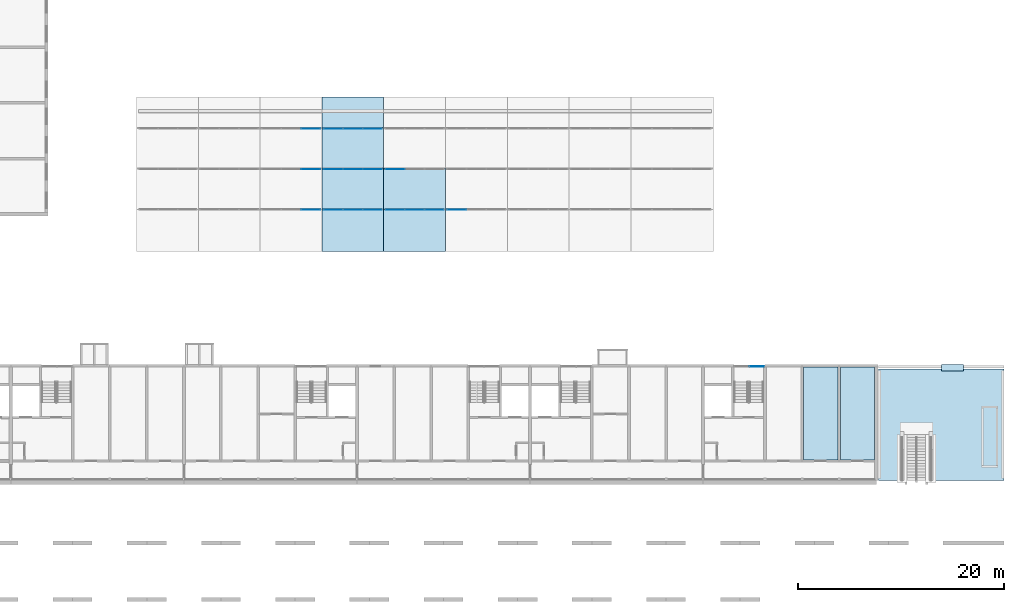
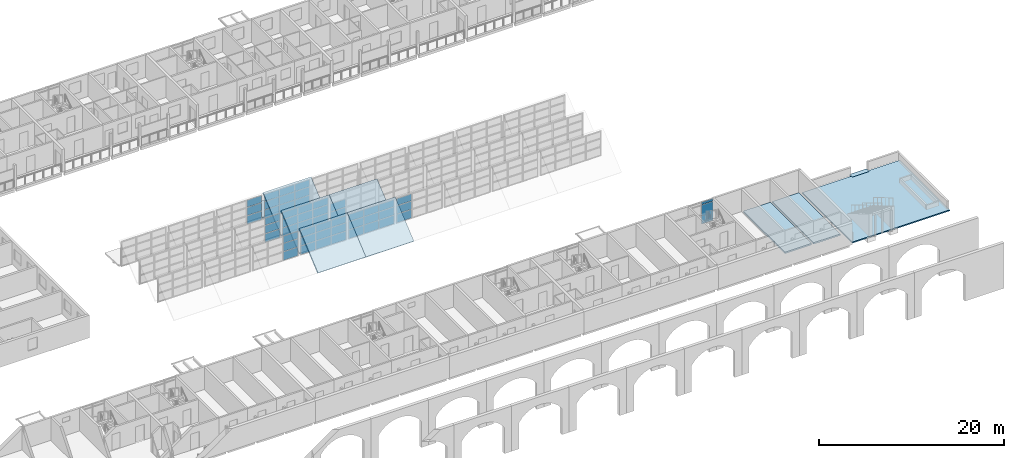
# One storey, part 48 of 122: 52 plates, 10 slabs, 10 elements without a shape of their own.
"""IFC4 building model written with IfcOpenShell, lengths in metres."""

from ifc_helpers import new_model, si_unit, direction, frame, origin, origin_2d, place, context, subcontext, project, spatial, polyline, rectangle, outline, extrude, material, layer, layer_set, type_object, element, aggregate, save


model = new_model("IFC4")

# Units and contexts
model_context = context("Model", 3, precision=1e-05, world=origin(), true_north=direction((0.0, 1.0)))
body_context = subcontext(model_context, "Body", "Model", "MODEL_VIEW")
ifc_project = project(units=[si_unit("LENGTHUNIT", "METRE"), si_unit("AREAUNIT", "SQUARE_METRE"), si_unit("VOLUMEUNIT", "CUBIC_METRE"), si_unit("PLANEANGLEUNIT", "RADIAN"), si_unit("MASSUNIT", "GRAM", prefix="KILO")], contexts=[model_context])

# Site, building, storey
site_placement = place(None, origin())
site = spatial("IfcSite", under=ifc_project, at=site_placement, CompositionType="ELEMENT")
building_placement = place(site_placement, origin())
building = spatial("IfcBuilding", under=site, at=building_placement, Name="Ridgestep Commons", CompositionType="ELEMENT")
storey_placement = place(building_placement, frame((0.0, 0.0, 3.0)))
storey = spatial("IfcBuildingStorey", under=building, at=storey_placement, Name="L01", CompositionType="ELEMENT", Elevation=3.0)

# Curtain wall, plates
ifc_material_1 = material(Name="Aluminium and glass", Category="aluminium")
ifc_layer_1 = layer(ifc_material_1, 0.14990234375)
ifc_layer_set_1 = layer_set([ifc_layer_1], Name="Shop clerestory curtain wall")
curtain_wall_type_1 = type_object("IfcCurtainWallType", Name="Shop clerestory curtain wall", PredefinedType="NOTDEFINED", material=ifc_layer_set_1)
curtain_wall_1_placement = place(storey_placement, origin())
curtain_wall_1 = element("IfcCurtainWall", 1, at=curtain_wall_1_placement, inside=storey, type_object=curtain_wall_type_1, Name="Shop clerestory curtain wall", PredefinedType="NOTDEFINED")
ifc_material_2 = material(Name="Glass", Category="glass")
ifc_layer_2 = layer(ifc_material_2, 0.011962890625)
ifc_layer_set_2 = layer_set([ifc_layer_2], Name="Community glass panel 12")
plate_type_1 = type_object("IfcPlateType", Name="Community glass panel 12", PredefinedType="CURTAIN_PANEL", material=ifc_layer_set_2)
plate_1_placement = place(storey_placement, frame((192.7041015625, 38.050048828125, 1.25), z_axis=(0.0, 0.0, 1.0), x_axis=(1.0, 0.0, 0.0)))
plate_1 = element("IfcPlate", 2, at=plate_1_placement, type_object=plate_type_1, Name="CW5 panel 3.1", PredefinedType="CURTAIN_PANEL", context=body_context, shape_type="SweptSolid", body=[
    extrude(rectangle(XDim=1.841552734375, YDim=0.011962890625, at=origin_2d()), origin(), (0.0, 0.0, 1.0), 1.125),
])
plate_2_placement = place(storey_placement, frame((192.7041015625, 38.050048828125, 2.4248046875), z_axis=(0.0, 0.0, 1.0), x_axis=(1.0, 0.0, 0.0)))
plate_2 = element("IfcPlate", 3, at=plate_2_placement, type_object=plate_type_1, Name="CW5 panel 3.2", PredefinedType="CURTAIN_PANEL", context=body_context, shape_type="SweptSolid", body=[
    extrude(rectangle(XDim=1.841552734375, YDim=0.011962890625, at=origin_2d()), origin(), (0.0, 0.0, 1.0), 1.050048828125),
])
plate_3_placement = place(storey_placement, frame((192.7041015625, 38.050048828125, 3.52490234375), z_axis=(0.0, 0.0, 1.0), x_axis=(1.0, 0.0, 0.0)))
plate_3 = element("IfcPlate", 4, at=plate_3_placement, type_object=plate_type_1, Name="CW5 panel 3.3", PredefinedType="CURTAIN_PANEL", context=body_context, shape_type="SweptSolid", body=[
    extrude(rectangle(XDim=1.841552734375, YDim=0.011962890625, at=origin_2d()), origin(), (0.0, 0.0, 1.0), 0.925048828125),
])
aggregate(curtain_wall_1, [plate_1, plate_2, plate_3])

curtain_wall_2_placement = place(storey_placement, origin())
curtain_wall_2 = element("IfcCurtainWall", 5, at=curtain_wall_2_placement, inside=storey, type_object=curtain_wall_type_1, Name="Shop clerestory curtain wall", PredefinedType="NOTDEFINED")
plate_4_placement = place(storey_placement, frame((192.7041015625, 41.97509765625, 1.25), z_axis=(0.0, 0.0, 1.0), x_axis=(1.0, 0.0, 0.0)))
plate_4 = element("IfcPlate", 6, at=plate_4_placement, type_object=plate_type_1, Name="CW5 panel 3.1", PredefinedType="CURTAIN_PANEL", context=body_context, shape_type="SweptSolid", body=[
    extrude(rectangle(XDim=1.841552734375, YDim=0.011962890625, at=origin_2d()), origin(), (0.0, 0.0, 1.0), 1.125),
])
plate_5_placement = place(storey_placement, frame((192.7041015625, 41.97509765625, 2.4248046875), z_axis=(0.0, 0.0, 1.0), x_axis=(1.0, 0.0, 0.0)))
plate_5 = element("IfcPlate", 7, at=plate_5_placement, type_object=plate_type_1, Name="CW5 panel 3.2", PredefinedType="CURTAIN_PANEL", context=body_context, shape_type="SweptSolid", body=[
    extrude(rectangle(XDim=1.841552734375, YDim=0.011962890625, at=origin_2d()), origin(), (0.0, 0.0, 1.0), 1.050048828125),
])
plate_6_placement = place(storey_placement, frame((192.7041015625, 41.97509765625, 3.52490234375), z_axis=(0.0, 0.0, 1.0), x_axis=(1.0, 0.0, 0.0)))
plate_6 = element("IfcPlate", 8, at=plate_6_placement, type_object=plate_type_1, Name="CW5 panel 3.3", PredefinedType="CURTAIN_PANEL", context=body_context, shape_type="SweptSolid", body=[
    extrude(rectangle(XDim=1.841552734375, YDim=0.011962890625, at=origin_2d()), origin(), (0.0, 0.0, 1.0), 0.925048828125),
])
aggregate(curtain_wall_2, [plate_4, plate_5, plate_6])

curtain_wall_3_placement = place(storey_placement, origin())
curtain_wall_3 = element("IfcCurtainWall", 9, at=curtain_wall_3_placement, inside=storey, type_object=curtain_wall_type_1, Name="Shop clerestory curtain wall", PredefinedType="NOTDEFINED")
plate_7_placement = place(storey_placement, frame((192.7041015625, 45.89990234375, 1.25), z_axis=(0.0, 0.0, 1.0), x_axis=(1.0, 0.0, 0.0)))
plate_7 = element("IfcPlate", 10, at=plate_7_placement, type_object=plate_type_1, Name="CW5 panel 3.1", PredefinedType="CURTAIN_PANEL", context=body_context, shape_type="SweptSolid", body=[
    extrude(rectangle(XDim=1.841552734375, YDim=0.011962890625, at=origin_2d()), origin(), (0.0, 0.0, 1.0), 1.125),
])
plate_8_placement = place(storey_placement, frame((192.7041015625, 45.89990234375, 2.4248046875), z_axis=(0.0, 0.0, 1.0), x_axis=(1.0, 0.0, 0.0)))
plate_8 = element("IfcPlate", 11, at=plate_8_placement, type_object=plate_type_1, Name="CW5 panel 3.2", PredefinedType="CURTAIN_PANEL", context=body_context, shape_type="SweptSolid", body=[
    extrude(rectangle(XDim=1.841552734375, YDim=0.011962890625, at=origin_2d()), origin(), (0.0, 0.0, 1.0), 1.050048828125),
])
plate_9_placement = place(storey_placement, frame((192.7041015625, 45.89990234375, 3.52490234375), z_axis=(0.0, 0.0, 1.0), x_axis=(1.0, 0.0, 0.0)))
plate_9 = element("IfcPlate", 12, at=plate_9_placement, type_object=plate_type_1, Name="CW5 panel 3.3", PredefinedType="CURTAIN_PANEL", context=body_context, shape_type="SweptSolid", body=[
    extrude(rectangle(XDim=1.841552734375, YDim=0.011962890625, at=origin_2d()), origin(), (0.0, 0.0, 1.0), 0.925048828125),
])
aggregate(curtain_wall_3, [plate_7, plate_8, plate_9])

curtain_wall_4_placement = place(storey_placement, origin())
curtain_wall_4 = element("IfcCurtainWall", 13, at=curtain_wall_4_placement, inside=storey, type_object=curtain_wall_type_1, Name="Shop clerestory curtain wall", PredefinedType="NOTDEFINED")
plate_10_placement = place(storey_placement, frame((194.895751953125, 38.050048828125, 1.25), z_axis=(0.0, 0.0, 1.0), x_axis=(1.0, 0.0, 0.0)))
plate_10 = element("IfcPlate", 14, at=plate_10_placement, type_object=plate_type_1, Name="CW5 panel 1.1", PredefinedType="CURTAIN_PANEL", context=body_context, shape_type="SweptSolid", body=[
    extrude(rectangle(XDim=1.841552734375, YDim=0.011962890625, at=origin_2d()), origin(), (0.0, 0.0, 1.0), 1.125),
])
plate_11_placement = place(storey_placement, frame((194.895751953125, 38.050048828125, 2.4248046875), z_axis=(0.0, 0.0, 1.0), x_axis=(1.0, 0.0, 0.0)))
plate_11 = element("IfcPlate", 15, at=plate_11_placement, type_object=plate_type_1, Name="CW5 panel 1.2", PredefinedType="CURTAIN_PANEL", context=body_context, shape_type="SweptSolid", body=[
    extrude(rectangle(XDim=1.841552734375, YDim=0.011962890625, at=origin_2d()), origin(), (0.0, 0.0, 1.0), 1.050048828125),
])
plate_12_placement = place(storey_placement, frame((194.895751953125, 38.050048828125, 3.52490234375), z_axis=(0.0, 0.0, 1.0), x_axis=(1.0, 0.0, 0.0)))
plate_12 = element("IfcPlate", 16, at=plate_12_placement, type_object=plate_type_1, Name="CW5 panel 1.3", PredefinedType="CURTAIN_PANEL", context=body_context, shape_type="SweptSolid", body=[
    extrude(rectangle(XDim=1.841552734375, YDim=0.011962890625, at=origin_2d()), origin(), (0.0, 0.0, 1.0), 0.925048828125),
])
plate_13_placement = place(storey_placement, frame((196.800048828125, 38.050048828125, 1.25), z_axis=(0.0, 0.0, 1.0), x_axis=(1.0, 0.0, 0.0)))
plate_13 = element("IfcPlate", 17, at=plate_13_placement, type_object=plate_type_1, Name="CW5 panel 2.1", PredefinedType="CURTAIN_PANEL", context=body_context, shape_type="SweptSolid", body=[
    extrude(rectangle(XDim=1.86669921875, YDim=0.011962890625, at=origin_2d()), origin(), (0.0, 0.0, 1.0), 1.125),
])
plate_14_placement = place(storey_placement, frame((196.800048828125, 38.050048828125, 2.4248046875), z_axis=(0.0, 0.0, 1.0), x_axis=(1.0, 0.0, 0.0)))
plate_14 = element("IfcPlate", 18, at=plate_14_placement, type_object=plate_type_1, Name="CW5 panel 2.2", PredefinedType="CURTAIN_PANEL", context=body_context, shape_type="SweptSolid", body=[
    extrude(rectangle(XDim=1.86669921875, YDim=0.011962890625, at=origin_2d()), origin(), (0.0, 0.0, 1.0), 1.050048828125),
])
plate_15_placement = place(storey_placement, frame((196.800048828125, 38.050048828125, 3.52490234375), z_axis=(0.0, 0.0, 1.0), x_axis=(1.0, 0.0, 0.0)))
plate_15 = element("IfcPlate", 19, at=plate_15_placement, type_object=plate_type_1, Name="CW5 panel 2.3", PredefinedType="CURTAIN_PANEL", context=body_context, shape_type="SweptSolid", body=[
    extrude(rectangle(XDim=1.86669921875, YDim=0.011962890625, at=origin_2d()), origin(), (0.0, 0.0, 1.0), 0.925048828125),
])
plate_16_placement = place(storey_placement, frame((198.7041015625, 38.050048828125, 1.25), z_axis=(0.0, 0.0, 1.0), x_axis=(1.0, 0.0, 0.0)))
plate_16 = element("IfcPlate", 20, at=plate_16_placement, type_object=plate_type_1, Name="CW5 panel 3.1", PredefinedType="CURTAIN_PANEL", context=body_context, shape_type="SweptSolid", body=[
    extrude(rectangle(XDim=1.841552734375, YDim=0.011962890625, at=origin_2d()), origin(), (0.0, 0.0, 1.0), 1.125),
])
plate_17_placement = place(storey_placement, frame((198.7041015625, 38.050048828125, 2.4248046875), z_axis=(0.0, 0.0, 1.0), x_axis=(1.0, 0.0, 0.0)))
plate_17 = element("IfcPlate", 21, at=plate_17_placement, type_object=plate_type_1, Name="CW5 panel 3.2", PredefinedType="CURTAIN_PANEL", context=body_context, shape_type="SweptSolid", body=[
    extrude(rectangle(XDim=1.841552734375, YDim=0.011962890625, at=origin_2d()), origin(), (0.0, 0.0, 1.0), 1.050048828125),
])
plate_18_placement = place(storey_placement, frame((198.7041015625, 38.050048828125, 3.52490234375), z_axis=(0.0, 0.0, 1.0), x_axis=(1.0, 0.0, 0.0)))
plate_18 = element("IfcPlate", 22, at=plate_18_placement, type_object=plate_type_1, Name="CW5 panel 3.3", PredefinedType="CURTAIN_PANEL", context=body_context, shape_type="SweptSolid", body=[
    extrude(rectangle(XDim=1.841552734375, YDim=0.011962890625, at=origin_2d()), origin(), (0.0, 0.0, 1.0), 0.925048828125),
])
aggregate(curtain_wall_4, [plate_10, plate_11, plate_12, plate_13, plate_14, plate_15, plate_16, plate_17, plate_18])

curtain_wall_5_placement = place(storey_placement, origin())
curtain_wall_5 = element("IfcCurtainWall", 23, at=curtain_wall_5_placement, inside=storey, type_object=curtain_wall_type_1, Name="Shop clerestory curtain wall", PredefinedType="NOTDEFINED")
plate_19_placement = place(storey_placement, frame((194.895751953125, 41.97509765625, 1.25), z_axis=(0.0, 0.0, 1.0), x_axis=(1.0, 0.0, 0.0)))
plate_19 = element("IfcPlate", 24, at=plate_19_placement, type_object=plate_type_1, Name="CW5 panel 1.1", PredefinedType="CURTAIN_PANEL", context=body_context, shape_type="SweptSolid", body=[
    extrude(rectangle(XDim=1.841552734375, YDim=0.011962890625, at=origin_2d()), origin(), (0.0, 0.0, 1.0), 1.125),
])
plate_20_placement = place(storey_placement, frame((194.895751953125, 41.97509765625, 2.4248046875), z_axis=(0.0, 0.0, 1.0), x_axis=(1.0, 0.0, 0.0)))
plate_20 = element("IfcPlate", 25, at=plate_20_placement, type_object=plate_type_1, Name="CW5 panel 1.2", PredefinedType="CURTAIN_PANEL", context=body_context, shape_type="SweptSolid", body=[
    extrude(rectangle(XDim=1.841552734375, YDim=0.011962890625, at=origin_2d()), origin(), (0.0, 0.0, 1.0), 1.050048828125),
])
plate_21_placement = place(storey_placement, frame((194.895751953125, 41.97509765625, 3.52490234375), z_axis=(0.0, 0.0, 1.0), x_axis=(1.0, 0.0, 0.0)))
plate_21 = element("IfcPlate", 26, at=plate_21_placement, type_object=plate_type_1, Name="CW5 panel 1.3", PredefinedType="CURTAIN_PANEL", context=body_context, shape_type="SweptSolid", body=[
    extrude(rectangle(XDim=1.841552734375, YDim=0.011962890625, at=origin_2d()), origin(), (0.0, 0.0, 1.0), 0.925048828125),
])
plate_22_placement = place(storey_placement, frame((196.800048828125, 41.97509765625, 1.25), z_axis=(0.0, 0.0, 1.0), x_axis=(1.0, 0.0, 0.0)))
plate_22 = element("IfcPlate", 27, at=plate_22_placement, type_object=plate_type_1, Name="CW5 panel 2.1", PredefinedType="CURTAIN_PANEL", context=body_context, shape_type="SweptSolid", body=[
    extrude(rectangle(XDim=1.86669921875, YDim=0.011962890625, at=origin_2d()), origin(), (0.0, 0.0, 1.0), 1.125),
])
plate_23_placement = place(storey_placement, frame((196.800048828125, 41.97509765625, 2.4248046875), z_axis=(0.0, 0.0, 1.0), x_axis=(1.0, 0.0, 0.0)))
plate_23 = element("IfcPlate", 28, at=plate_23_placement, type_object=plate_type_1, Name="CW5 panel 2.2", PredefinedType="CURTAIN_PANEL", context=body_context, shape_type="SweptSolid", body=[
    extrude(rectangle(XDim=1.86669921875, YDim=0.011962890625, at=origin_2d()), origin(), (0.0, 0.0, 1.0), 1.050048828125),
])
plate_24_placement = place(storey_placement, frame((196.800048828125, 41.97509765625, 3.52490234375), z_axis=(0.0, 0.0, 1.0), x_axis=(1.0, 0.0, 0.0)))
plate_24 = element("IfcPlate", 29, at=plate_24_placement, type_object=plate_type_1, Name="CW5 panel 2.3", PredefinedType="CURTAIN_PANEL", context=body_context, shape_type="SweptSolid", body=[
    extrude(rectangle(XDim=1.86669921875, YDim=0.011962890625, at=origin_2d()), origin(), (0.0, 0.0, 1.0), 0.925048828125),
])
plate_25_placement = place(storey_placement, frame((198.7041015625, 41.97509765625, 1.25), z_axis=(0.0, 0.0, 1.0), x_axis=(1.0, 0.0, 0.0)))
plate_25 = element("IfcPlate", 30, at=plate_25_placement, type_object=plate_type_1, Name="CW5 panel 3.1", PredefinedType="CURTAIN_PANEL", context=body_context, shape_type="SweptSolid", body=[
    extrude(rectangle(XDim=1.841552734375, YDim=0.011962890625, at=origin_2d()), origin(), (0.0, 0.0, 1.0), 1.125),
])
plate_26_placement = place(storey_placement, frame((198.7041015625, 41.97509765625, 2.4248046875), z_axis=(0.0, 0.0, 1.0), x_axis=(1.0, 0.0, 0.0)))
plate_26 = element("IfcPlate", 31, at=plate_26_placement, type_object=plate_type_1, Name="CW5 panel 3.2", PredefinedType="CURTAIN_PANEL", context=body_context, shape_type="SweptSolid", body=[
    extrude(rectangle(XDim=1.841552734375, YDim=0.011962890625, at=origin_2d()), origin(), (0.0, 0.0, 1.0), 1.050048828125),
])
plate_27_placement = place(storey_placement, frame((198.7041015625, 41.97509765625, 3.52490234375), z_axis=(0.0, 0.0, 1.0), x_axis=(1.0, 0.0, 0.0)))
plate_27 = element("IfcPlate", 32, at=plate_27_placement, type_object=plate_type_1, Name="CW5 panel 3.3", PredefinedType="CURTAIN_PANEL", context=body_context, shape_type="SweptSolid", body=[
    extrude(rectangle(XDim=1.841552734375, YDim=0.011962890625, at=origin_2d()), origin(), (0.0, 0.0, 1.0), 0.925048828125),
])
aggregate(curtain_wall_5, [plate_19, plate_20, plate_21, plate_22, plate_23, plate_24, plate_25, plate_26, plate_27])

curtain_wall_6_placement = place(storey_placement, origin())
curtain_wall_6 = element("IfcCurtainWall", 33, at=curtain_wall_6_placement, inside=storey, type_object=curtain_wall_type_1, Name="Shop clerestory curtain wall", PredefinedType="NOTDEFINED")
plate_28_placement = place(storey_placement, frame((194.895751953125, 45.89990234375, 1.25), z_axis=(0.0, 0.0, 1.0), x_axis=(1.0, 0.0, 0.0)))
plate_28 = element("IfcPlate", 34, at=plate_28_placement, type_object=plate_type_1, Name="CW5 panel 1.1", PredefinedType="CURTAIN_PANEL", context=body_context, shape_type="SweptSolid", body=[
    extrude(rectangle(XDim=1.841552734375, YDim=0.011962890625, at=origin_2d()), origin(), (0.0, 0.0, 1.0), 1.125),
])
plate_29_placement = place(storey_placement, frame((194.895751953125, 45.89990234375, 2.4248046875), z_axis=(0.0, 0.0, 1.0), x_axis=(1.0, 0.0, 0.0)))
plate_29 = element("IfcPlate", 35, at=plate_29_placement, type_object=plate_type_1, Name="CW5 panel 1.2", PredefinedType="CURTAIN_PANEL", context=body_context, shape_type="SweptSolid", body=[
    extrude(rectangle(XDim=1.841552734375, YDim=0.011962890625, at=origin_2d()), origin(), (0.0, 0.0, 1.0), 1.050048828125),
])
plate_30_placement = place(storey_placement, frame((194.895751953125, 45.89990234375, 3.52490234375), z_axis=(0.0, 0.0, 1.0), x_axis=(1.0, 0.0, 0.0)))
plate_30 = element("IfcPlate", 36, at=plate_30_placement, type_object=plate_type_1, Name="CW5 panel 1.3", PredefinedType="CURTAIN_PANEL", context=body_context, shape_type="SweptSolid", body=[
    extrude(rectangle(XDim=1.841552734375, YDim=0.011962890625, at=origin_2d()), origin(), (0.0, 0.0, 1.0), 0.925048828125),
])
plate_31_placement = place(storey_placement, frame((196.800048828125, 45.89990234375, 1.25), z_axis=(0.0, 0.0, 1.0), x_axis=(1.0, 0.0, 0.0)))
plate_31 = element("IfcPlate", 37, at=plate_31_placement, type_object=plate_type_1, Name="CW5 panel 2.1", PredefinedType="CURTAIN_PANEL", context=body_context, shape_type="SweptSolid", body=[
    extrude(rectangle(XDim=1.86669921875, YDim=0.011962890625, at=origin_2d()), origin(), (0.0, 0.0, 1.0), 1.125),
])
plate_32_placement = place(storey_placement, frame((196.800048828125, 45.89990234375, 2.4248046875), z_axis=(0.0, 0.0, 1.0), x_axis=(1.0, 0.0, 0.0)))
plate_32 = element("IfcPlate", 38, at=plate_32_placement, type_object=plate_type_1, Name="CW5 panel 2.2", PredefinedType="CURTAIN_PANEL", context=body_context, shape_type="SweptSolid", body=[
    extrude(rectangle(XDim=1.86669921875, YDim=0.011962890625, at=origin_2d()), origin(), (0.0, 0.0, 1.0), 1.050048828125),
])
plate_33_placement = place(storey_placement, frame((196.800048828125, 45.89990234375, 3.52490234375), z_axis=(0.0, 0.0, 1.0), x_axis=(1.0, 0.0, 0.0)))
plate_33 = element("IfcPlate", 39, at=plate_33_placement, type_object=plate_type_1, Name="CW5 panel 2.3", PredefinedType="CURTAIN_PANEL", context=body_context, shape_type="SweptSolid", body=[
    extrude(rectangle(XDim=1.86669921875, YDim=0.011962890625, at=origin_2d()), origin(), (0.0, 0.0, 1.0), 0.925048828125),
])
plate_34_placement = place(storey_placement, frame((198.7041015625, 45.89990234375, 1.25), z_axis=(0.0, 0.0, 1.0), x_axis=(1.0, 0.0, 0.0)))
plate_34 = element("IfcPlate", 40, at=plate_34_placement, type_object=plate_type_1, Name="CW5 panel 3.1", PredefinedType="CURTAIN_PANEL", context=body_context, shape_type="SweptSolid", body=[
    extrude(rectangle(XDim=1.841552734375, YDim=0.011962890625, at=origin_2d()), origin(), (0.0, 0.0, 1.0), 1.125),
])
plate_35_placement = place(storey_placement, frame((198.7041015625, 45.89990234375, 2.4248046875), z_axis=(0.0, 0.0, 1.0), x_axis=(1.0, 0.0, 0.0)))
plate_35 = element("IfcPlate", 41, at=plate_35_placement, type_object=plate_type_1, Name="CW5 panel 3.2", PredefinedType="CURTAIN_PANEL", context=body_context, shape_type="SweptSolid", body=[
    extrude(rectangle(XDim=1.841552734375, YDim=0.011962890625, at=origin_2d()), origin(), (0.0, 0.0, 1.0), 1.050048828125),
])
plate_36_placement = place(storey_placement, frame((198.7041015625, 45.89990234375, 3.52490234375), z_axis=(0.0, 0.0, 1.0), x_axis=(1.0, 0.0, 0.0)))
plate_36 = element("IfcPlate", 42, at=plate_36_placement, type_object=plate_type_1, Name="CW5 panel 3.3", PredefinedType="CURTAIN_PANEL", context=body_context, shape_type="SweptSolid", body=[
    extrude(rectangle(XDim=1.841552734375, YDim=0.011962890625, at=origin_2d()), origin(), (0.0, 0.0, 1.0), 0.925048828125),
])
aggregate(curtain_wall_6, [plate_28, plate_29, plate_30, plate_31, plate_32, plate_33, plate_34, plate_35, plate_36])

curtain_wall_7_placement = place(storey_placement, origin())
curtain_wall_7 = element("IfcCurtainWall", 43, at=curtain_wall_7_placement, inside=storey, type_object=curtain_wall_type_1, Name="Shop clerestory curtain wall", PredefinedType="NOTDEFINED")
plate_37_placement = place(storey_placement, frame((200.895751953125, 38.050048828125, 1.25), z_axis=(0.0, 0.0, 1.0), x_axis=(1.0, 0.0, 0.0)))
plate_37 = element("IfcPlate", 44, at=plate_37_placement, type_object=plate_type_1, Name="CW5 panel 1.1", PredefinedType="CURTAIN_PANEL", context=body_context, shape_type="SweptSolid", body=[
    extrude(rectangle(XDim=1.841552734375, YDim=0.011962890625, at=origin_2d()), origin(), (0.0, 0.0, 1.0), 1.125),
])
plate_38_placement = place(storey_placement, frame((200.895751953125, 38.050048828125, 2.4248046875), z_axis=(0.0, 0.0, 1.0), x_axis=(1.0, 0.0, 0.0)))
plate_38 = element("IfcPlate", 45, at=plate_38_placement, type_object=plate_type_1, Name="CW5 panel 1.2", PredefinedType="CURTAIN_PANEL", context=body_context, shape_type="SweptSolid", body=[
    extrude(rectangle(XDim=1.841552734375, YDim=0.011962890625, at=origin_2d()), origin(), (0.0, 0.0, 1.0), 1.050048828125),
])
plate_39_placement = place(storey_placement, frame((200.895751953125, 38.050048828125, 3.52490234375), z_axis=(0.0, 0.0, 1.0), x_axis=(1.0, 0.0, 0.0)))
plate_39 = element("IfcPlate", 46, at=plate_39_placement, type_object=plate_type_1, Name="CW5 panel 1.3", PredefinedType="CURTAIN_PANEL", context=body_context, shape_type="SweptSolid", body=[
    extrude(rectangle(XDim=1.841552734375, YDim=0.011962890625, at=origin_2d()), origin(), (0.0, 0.0, 1.0), 0.925048828125),
])
plate_40_placement = place(storey_placement, frame((202.800048828125, 38.050048828125, 1.25), z_axis=(0.0, 0.0, 1.0), x_axis=(1.0, 0.0, 0.0)))
plate_40 = element("IfcPlate", 47, at=plate_40_placement, type_object=plate_type_1, Name="CW5 panel 2.1", PredefinedType="CURTAIN_PANEL", context=body_context, shape_type="SweptSolid", body=[
    extrude(rectangle(XDim=1.86669921875, YDim=0.011962890625, at=origin_2d()), origin(), (0.0, 0.0, 1.0), 1.125),
])
plate_41_placement = place(storey_placement, frame((202.800048828125, 38.050048828125, 2.4248046875), z_axis=(0.0, 0.0, 1.0), x_axis=(1.0, 0.0, 0.0)))
plate_41 = element("IfcPlate", 48, at=plate_41_placement, type_object=plate_type_1, Name="CW5 panel 2.2", PredefinedType="CURTAIN_PANEL", context=body_context, shape_type="SweptSolid", body=[
    extrude(rectangle(XDim=1.86669921875, YDim=0.011962890625, at=origin_2d()), origin(), (0.0, 0.0, 1.0), 1.050048828125),
])
plate_42_placement = place(storey_placement, frame((202.800048828125, 38.050048828125, 3.52490234375), z_axis=(0.0, 0.0, 1.0), x_axis=(1.0, 0.0, 0.0)))
plate_42 = element("IfcPlate", 49, at=plate_42_placement, type_object=plate_type_1, Name="CW5 panel 2.3", PredefinedType="CURTAIN_PANEL", context=body_context, shape_type="SweptSolid", body=[
    extrude(rectangle(XDim=1.86669921875, YDim=0.011962890625, at=origin_2d()), origin(), (0.0, 0.0, 1.0), 0.925048828125),
])
plate_43_placement = place(storey_placement, frame((204.7041015625, 38.050048828125, 1.25), z_axis=(0.0, 0.0, 1.0), x_axis=(1.0, 0.0, 0.0)))
plate_43 = element("IfcPlate", 50, at=plate_43_placement, type_object=plate_type_1, Name="CW5 panel 3.1", PredefinedType="CURTAIN_PANEL", context=body_context, shape_type="SweptSolid", body=[
    extrude(rectangle(XDim=1.841552734375, YDim=0.011962890625, at=origin_2d()), origin(), (0.0, 0.0, 1.0), 1.125),
])
plate_44_placement = place(storey_placement, frame((204.7041015625, 38.050048828125, 2.4248046875), z_axis=(0.0, 0.0, 1.0), x_axis=(1.0, 0.0, 0.0)))
plate_44 = element("IfcPlate", 51, at=plate_44_placement, type_object=plate_type_1, Name="CW5 panel 3.2", PredefinedType="CURTAIN_PANEL", context=body_context, shape_type="SweptSolid", body=[
    extrude(rectangle(XDim=1.841552734375, YDim=0.011962890625, at=origin_2d()), origin(), (0.0, 0.0, 1.0), 1.050048828125),
])
plate_45_placement = place(storey_placement, frame((204.7041015625, 38.050048828125, 3.52490234375), z_axis=(0.0, 0.0, 1.0), x_axis=(1.0, 0.0, 0.0)))
plate_45 = element("IfcPlate", 52, at=plate_45_placement, type_object=plate_type_1, Name="CW5 panel 3.3", PredefinedType="CURTAIN_PANEL", context=body_context, shape_type="SweptSolid", body=[
    extrude(rectangle(XDim=1.841552734375, YDim=0.011962890625, at=origin_2d()), origin(), (0.0, 0.0, 1.0), 0.925048828125),
])
aggregate(curtain_wall_7, [plate_37, plate_38, plate_39, plate_40, plate_41, plate_42, plate_43, plate_44, plate_45])

curtain_wall_8_placement = place(storey_placement, origin())
curtain_wall_8 = element("IfcCurtainWall", 53, at=curtain_wall_8_placement, inside=storey, type_object=curtain_wall_type_1, Name="Shop clerestory curtain wall", PredefinedType="NOTDEFINED")
plate_46_placement = place(storey_placement, frame((200.895751953125, 41.97509765625, 1.25), z_axis=(0.0, 0.0, 1.0), x_axis=(1.0, 0.0, 0.0)))
plate_46 = element("IfcPlate", 54, at=plate_46_placement, type_object=plate_type_1, Name="CW5 panel 1.1", PredefinedType="CURTAIN_PANEL", context=body_context, shape_type="SweptSolid", body=[
    extrude(rectangle(XDim=1.841552734375, YDim=0.011962890625, at=origin_2d()), origin(), (0.0, 0.0, 1.0), 1.125),
])
plate_47_placement = place(storey_placement, frame((200.895751953125, 41.97509765625, 2.4248046875), z_axis=(0.0, 0.0, 1.0), x_axis=(1.0, 0.0, 0.0)))
plate_47 = element("IfcPlate", 55, at=plate_47_placement, type_object=plate_type_1, Name="CW5 panel 1.2", PredefinedType="CURTAIN_PANEL", context=body_context, shape_type="SweptSolid", body=[
    extrude(rectangle(XDim=1.841552734375, YDim=0.011962890625, at=origin_2d()), origin(), (0.0, 0.0, 1.0), 1.050048828125),
])
aggregate(curtain_wall_8, [plate_46, plate_47])

curtain_wall_9_placement = place(storey_placement, origin())
curtain_wall_9 = element("IfcCurtainWall", 56, at=curtain_wall_9_placement, inside=storey, type_object=curtain_wall_type_1, Name="Shop clerestory curtain wall", PredefinedType="NOTDEFINED")
plate_48_placement = place(storey_placement, frame((206.895751953125, 38.050048828125, 1.25), z_axis=(0.0, 0.0, 1.0), x_axis=(1.0, 0.0, 0.0)))
plate_48 = element("IfcPlate", 57, at=plate_48_placement, type_object=plate_type_1, Name="CW5 panel 1.1", PredefinedType="CURTAIN_PANEL", context=body_context, shape_type="SweptSolid", body=[
    extrude(rectangle(XDim=1.841552734375, YDim=0.011962890625, at=origin_2d()), origin(), (0.0, 0.0, 1.0), 1.125),
])
plate_49_placement = place(storey_placement, frame((206.895751953125, 38.050048828125, 2.4248046875), z_axis=(0.0, 0.0, 1.0), x_axis=(1.0, 0.0, 0.0)))
plate_49 = element("IfcPlate", 58, at=plate_49_placement, type_object=plate_type_1, Name="CW5 panel 1.2", PredefinedType="CURTAIN_PANEL", context=body_context, shape_type="SweptSolid", body=[
    extrude(rectangle(XDim=1.841552734375, YDim=0.011962890625, at=origin_2d()), origin(), (0.0, 0.0, 1.0), 1.050048828125),
])
plate_50_placement = place(storey_placement, frame((206.895751953125, 38.050048828125, 3.52490234375), z_axis=(0.0, 0.0, 1.0), x_axis=(1.0, 0.0, 0.0)))
plate_50 = element("IfcPlate", 59, at=plate_50_placement, type_object=plate_type_1, Name="CW5 panel 1.3", PredefinedType="CURTAIN_PANEL", context=body_context, shape_type="SweptSolid", body=[
    extrude(rectangle(XDim=1.841552734375, YDim=0.011962890625, at=origin_2d()), origin(), (0.0, 0.0, 1.0), 0.925048828125),
])
aggregate(curtain_wall_9, [plate_48, plate_49, plate_50])

# Slabs
ifc_material_3 = material(Name="Concrete C30/37", Category="concrete")
ifc_layer_3 = layer(ifc_material_3, 0.199951171875)
ifc_layer_set_3 = layer_set([ifc_layer_3], Name="Community stair landing slab 200")
slab_type_1 = type_object("IfcSlabType", Name="Community stair landing slab 200", PredefinedType="LANDING", material=ifc_layer_set_3)
slab_1_placement = place(storey_placement, frame((0.0, 0.0, -0.199951171875)))
element("IfcSlab", 60, at=slab_1_placement, inside=storey, type_object=slab_type_1, Name="Arrival landing", PredefinedType="LANDING", context=body_context, shape_type="SweptSolid", body=[
    extrude(outline(polyline([(253.949951171875, 22.39990234375), (256.050048828125, 22.39990234375), (256.050048828125, 23.0), (253.949951171875, 23.0), (253.949951171875, 22.39990234375)])), origin(), (0.0, 0.0, 1.0), 0.199951171875),
])
ifc_material_4 = material(Name="Concrete C30/37", Category="concrete")
ifc_layer_4 = layer(ifc_material_4, 0.14990234375)
ifc_layer_set_4 = layer_set([ifc_layer_4], Name="Community terrace slab 150")
slab_type_2 = type_object("IfcSlabType", Name="Community terrace slab 150", PredefinedType="BASESLAB", material=ifc_layer_set_4)
slab_2_placement = place(storey_placement, frame((0.0, 0.0, -0.14990234375)))
element("IfcSlab", 61, at=slab_2_placement, inside=storey, type_object=slab_type_2, Name="Garden terrace paving east", PredefinedType="BASESLAB", context=body_context, shape_type="SweptSolid", body=[
    extrude(outline(polyline([(259.998046875, 22.60009765625), (259.998046875, 11.75), (247.800048828125, 11.75), (247.800048828125, 22.60009765625), (253.949951171875, 22.60009765625), (253.949951171875, 22.39990234375), (256.050048828125, 22.39990234375), (256.050048828125, 22.60009765625), (259.998046875, 22.60009765625)])), origin(), (0.0, 0.0, 1.0), 0.14990234375),
])

# Curtain wall, plate
ifc_material_5 = material(Name="Aluminium 6063-T6 and glass", Category="aluminium")
curtain_wall_type_2 = type_object("IfcCurtainWallType", Name="Curtain wall stair strip", PredefinedType="NOTDEFINED", material=ifc_material_5)
curtain_wall_10_placement = place(storey_placement, origin())
curtain_wall_10 = element("IfcCurtainWall", 62, at=curtain_wall_10_placement, inside=storey, type_object=curtain_wall_type_2, Name="Curtain wall D6C level 01", PredefinedType="NOTDEFINED")
ifc_material_6 = material(Name="Glass laminated 6/16/6 low-emissivity", Category="glass")
ifc_layer_5 = layer(ifc_material_6, 0.028076171875)
ifc_layer_set_5 = layer_set([ifc_layer_5], Name="Glazing panel 28")
plate_type_2 = type_object("IfcPlateType", Name="Glazing panel 28", PredefinedType="CURTAIN_PANEL", material=ifc_layer_set_5)
plate_51_placement = place(storey_placement, frame((236.02880859375, 22.830078125, 0.06005859375), z_axis=(0.0, 0.0, 1.0), x_axis=(1.0, 0.0, 0.0)))
plate_51 = element("IfcPlate", 63, at=plate_51_placement, type_object=plate_type_2, Name="CW1 panel 2.1", PredefinedType="CURTAIN_PANEL", context=body_context, shape_type="SweptSolid", body=[
    extrude(rectangle(XDim=1.422607421875, YDim=0.028076171875, at=origin_2d()), origin(), (0.0, 0.0, 1.0), 2.5),
])

# Slabs
ifc_material_7 = material(Name="Precast concrete C50/60", Category="concrete")
ifc_layer_6 = layer(ifc_material_7, 0.199951171875)
ifc_layer_set_6 = layer_set([ifc_layer_6], Name="Hollow-core plank 200")
slab_type_3 = type_object("IfcSlabType", Name="Hollow-core plank 200", PredefinedType="FLOOR", material=ifc_layer_set_6)
slab_3_placement = place(storey_placement, frame((0.0, 0.0, -0.199951171875)))
element("IfcSlab", 64, at=slab_3_placement, inside=storey, type_object=slab_type_3, Name="Floor plank D6T2 L01", PredefinedType="FLOOR", context=body_context, shape_type="SweptSolid", body=[
    extrude(outline(polyline([(243.875, 13.75), (243.875, 22.75), (240.52490234375, 22.75), (240.52490234375, 13.75), (243.875, 13.75)])), origin(), (0.0, 0.0, 1.0), 0.199951171875),
])
slab_4_placement = place(storey_placement, frame((0.0, 0.0, -0.199951171875)))
element("IfcSlab", 65, at=slab_4_placement, inside=storey, type_object=slab_type_3, Name="Floor plank D6T1 L01", PredefinedType="FLOOR", context=body_context, shape_type="SweptSolid", body=[
    extrude(outline(polyline([(247.449951171875, 13.75), (247.449951171875, 22.75), (244.125, 22.75), (244.125, 13.75), (247.449951171875, 13.75)])), origin(), (0.0, 0.0, 1.0), 0.199951171875),
])
ifc_material_8 = material(Name="Precast concrete C50/60", Category="concrete")
ifc_layer_7 = layer(ifc_material_8, 0.199951171875)
ifc_layer_set_7 = layer_set([ifc_layer_7], Name="Shop roof plank 200")
slab_type_4 = type_object("IfcSlabType", Name="Shop roof plank 200", PredefinedType="ROOF", material=ifc_layer_set_7)
slab_5_placement = place(storey_placement, frame((193.800048828125, 46.0, 1.400390625), z_axis=(0.0, 0.059869626719, 0.998206205048), x_axis=(1.0, 0.0, 0.0)))
element("IfcSlab", 66, at=slab_5_placement, inside=storey, type_object=slab_type_4, Name="Shop arcade roof plank", PredefinedType="ROOF", context=body_context, shape_type="SweptSolid", body=[
    extrude(outline(polyline([(0.0, 0.0), (6.0, 0.0), (6.0, 3.0053910553034533), (0.0, 3.0053910553034533), (0.0, 0.0)])), origin(), (0.0, 0.0, -1.0), 0.199951171875),
])
ifc_material_9 = material(Name="Precast concrete C50/60", Category="concrete")
ifc_layer_8 = layer(ifc_material_9, 0.199951171875)
ifc_layer_set_8 = layer_set([ifc_layer_8], Name="Shop sawtooth plank 200")
slab_type_5 = type_object("IfcSlabType", Name="Shop sawtooth plank 200", PredefinedType="ROOF", material=ifc_layer_set_8)
slab_6_placement = place(storey_placement, frame((193.800048828125, 34.0, 1.356201171875), z_axis=(0.0, -0.643523147953, 0.765426650992), x_axis=(1.0, 0.0, 0.0)))
element("IfcSlab", 67, at=slab_6_placement, inside=storey, type_object=slab_type_5, Name="Shop sawtooth roof plank", PredefinedType="ROOF", context=body_context, shape_type="SweptSolid", body=[
    extrude(outline(polyline([(0.0, 0.0), (6.0, 0.0), (6.0, 5.29123048286254), (0.0, 5.29123048286254), (0.0, 0.0)])), origin(), (0.0, 0.0, -1.0), 0.199951171875),
])
slab_7_placement = place(storey_placement, frame((193.800048828125, 38.050048828125, 1.461181640625), z_axis=(0.0, -0.643535916661, 0.765415915674), x_axis=(1.0, 0.0, 0.0)))
element("IfcSlab", 68, at=slab_7_placement, inside=storey, type_object=slab_type_5, Name="Shop sawtooth roof plank", PredefinedType="ROOF", context=body_context, shape_type="SweptSolid", body=[
    extrude(outline(polyline([(0.0, 0.0), (6.0, 0.0), (6.0, 5.1279947904785), (0.0, 5.1279947904785), (0.0, 0.0)])), origin(), (0.0, 0.0, -1.0), 0.199951171875),
])
slab_8_placement = place(storey_placement, frame((193.800048828125, 41.97509765625, 1.461181640625), z_axis=(0.0, -0.643559368289, 0.765396197722), x_axis=(1.0, 0.0, 0.0)))
element("IfcSlab", 69, at=slab_8_placement, inside=storey, type_object=slab_type_5, Name="Shop sawtooth roof plank", PredefinedType="ROOF", context=body_context, shape_type="SweptSolid", body=[
    extrude(outline(polyline([(0.0, 0.0), (6.0, 0.0), (6.0, 5.127807923765394), (0.0, 5.127807923765394), (0.0, 0.0)])), origin(), (0.0, 0.0, -1.0), 0.199951171875),
])
slab_9_placement = place(storey_placement, frame((199.800048828125, 34.0, 1.356201171875), z_axis=(0.0, -0.643523147953, 0.765426650992), x_axis=(1.0, 0.0, 0.0)))
element("IfcSlab", 70, at=slab_9_placement, inside=storey, type_object=slab_type_5, Name="Shop sawtooth roof plank", PredefinedType="ROOF", context=body_context, shape_type="SweptSolid", body=[
    extrude(outline(polyline([(0.0, 0.0), (6.0, 0.0), (6.0, 5.29123048286254), (0.0, 5.29123048286254), (0.0, 0.0)])), origin(), (0.0, 0.0, -1.0), 0.199951171875),
])
slab_10_placement = place(storey_placement, frame((199.800048828125, 38.050048828125, 1.461181640625), z_axis=(0.0, -0.643535916661, 0.765415915674), x_axis=(1.0, 0.0, 0.0)))
element("IfcSlab", 71, at=slab_10_placement, inside=storey, type_object=slab_type_5, Name="Shop sawtooth roof plank", PredefinedType="ROOF", context=body_context, shape_type="SweptSolid", body=[
    extrude(outline(polyline([(0.0, 0.0), (6.0, 0.0), (6.0, 5.1279947904785), (0.0, 5.1279947904785), (0.0, 0.0)])), origin(), (0.0, 0.0, -1.0), 0.199951171875),
])

# Plate
ifc_material_10 = material(Name="Aluminium 6063-T6 and mineral wool", Category="aluminium")
ifc_layer_9 = layer(ifc_material_10, 0.0400390625)
ifc_layer_set_9 = layer_set([ifc_layer_9], Name="Spandrel panel 40")
plate_type_3 = type_object("IfcPlateType", Name="Spandrel panel 40", PredefinedType="CURTAIN_PANEL", material=ifc_layer_set_9)
plate_52_placement = place(storey_placement, frame((236.02880859375, 22.830078125, 2.6201171875), z_axis=(0.0, 0.0, 1.0), x_axis=(1.0, 0.0, 0.0)))
plate_52 = element("IfcPlate", 72, at=plate_52_placement, type_object=plate_type_3, Name="CW1 panel 2.2", PredefinedType="CURTAIN_PANEL", context=body_context, shape_type="SweptSolid", body=[
    extrude(rectangle(XDim=1.422607421875, YDim=0.0400390625, at=origin_2d()), origin(), (0.0, 0.0, 1.0), 0.320068359375),
])

aggregate(curtain_wall_10, [plate_51, plate_52])

save(model, "model.ifc")
